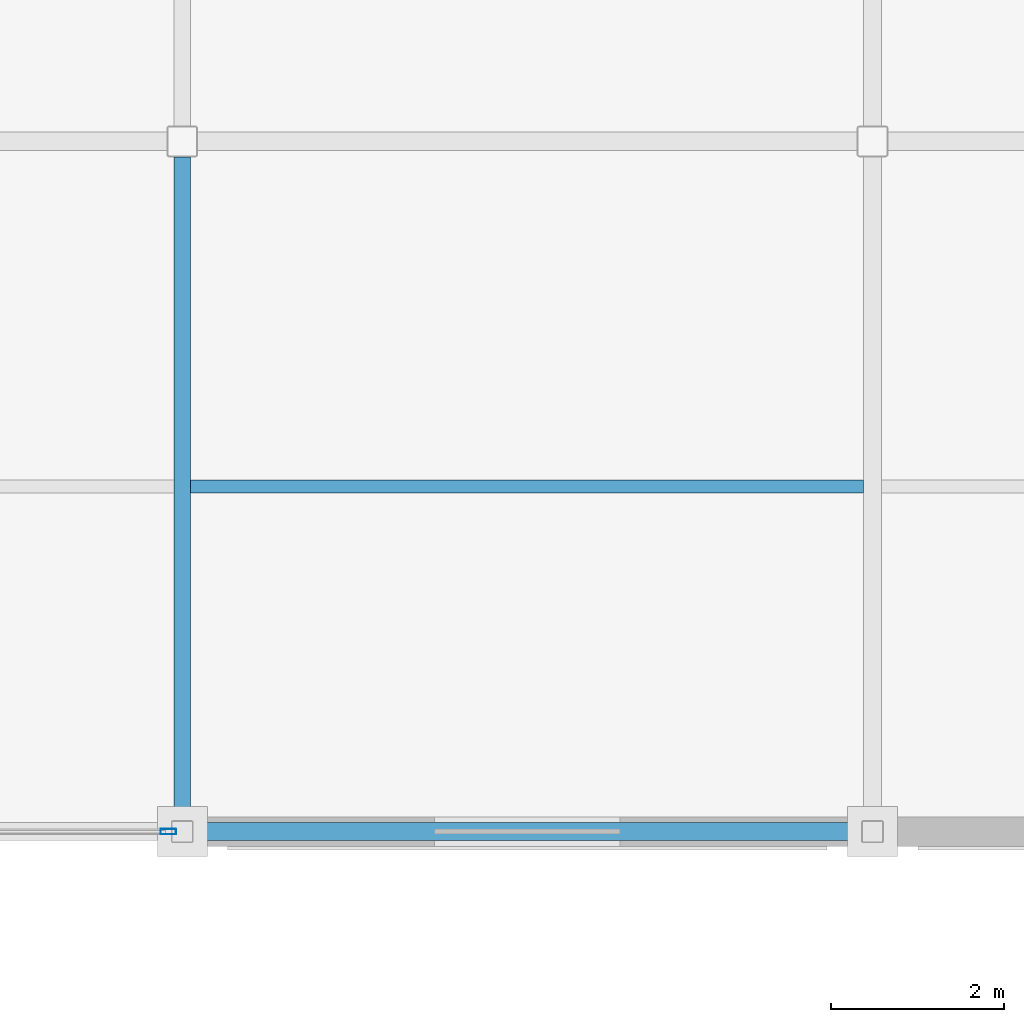
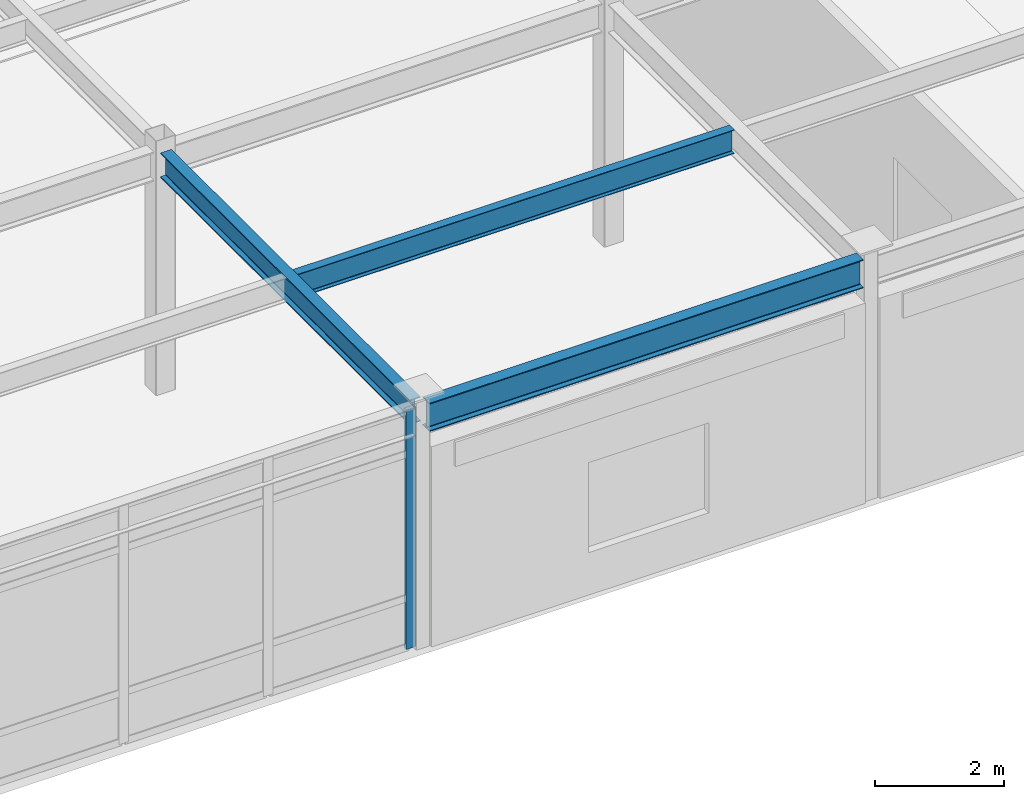
# One storey, part 75 of 117: 3 beams, 1 member, 1 element without a shape of its own.
"""IFC4 building model written with IfcOpenShell, lengths in metres."""

import ifcopenshell
import ifcopenshell.guid

model = None  # the IFC model being written
_history = None  # IfcOwnerHistory: only IFC2X3 demands one
_inside = {}  # id of a spatial element -> (the spatial element, [elements in it])
_under = {}  # id of a project, library or spatial element -> (it, [spatial elements below it])
_declared = {}  # id of a project -> (the project, [libraries it declares])
_typed = {}  # id of a type object -> (the type object, [elements of that type])
_made_of = {}  # id of a material, layer set ... -> (it, [elements and type objects made of it])


def new_model(schema):
    """Start an empty IFC model of exactly this schema.

    Asked for "IFC4X3", IfcOpenShell would pick the latest addendum, in which some entities
    have other attributes; the version numbers below select the first issue.
    IFC2X3 requires an IfcOwnerHistory on every rooted entity: one is made here for all.
    """
    global model, _history
    if schema == "IFC4X3":
        model = ifcopenshell.file(schema_version=(4, 3, 0, 0))
    else:
        model = ifcopenshell.file(schema=schema)
    _inside.clear()
    _under.clear()
    _declared.clear()
    _typed.clear()
    _made_of.clear()
    _history = None
    if model.schema == "IFC2X3":
        org = make("IfcOrganization", Name="unknown")
        user = make(
            "IfcPersonAndOrganization",
            ThePerson=make("IfcPerson", FamilyName="unknown"),
            TheOrganization=org,
        )
        app = make(
            "IfcApplication",
            ApplicationDeveloper=org,
            Version="unknown",
            ApplicationFullName="unknown",
            ApplicationIdentifier="unknown",
        )
        _history = make(
            "IfcOwnerHistory",
            OwningUser=user,
            OwningApplication=app,
            ChangeAction="ADDED",
            CreationDate=0,
        )
    return model


def make(cls, **values):
    """One entity of the class cls with the attributes given. An attribute that is None is left unset."""
    return model.create_entity(
        cls, **{name: value for name, value in values.items() if value is not None}
    )


def rooted(cls, **values):
    """An entity with a GlobalId (a new one), such as an element, a storey or a relation."""
    return make(cls, GlobalId=ifcopenshell.guid.new(), OwnerHistory=_history, **values)


def si_unit(unit_type, name, prefix=None):
    """IfcSIUnit, for example si_unit("LENGTHUNIT", "METRE", prefix="MILLI")."""
    return make("IfcSIUnit", UnitType=unit_type, Prefix=prefix, Name=name)


def assignment(units):
    """IfcUnitAssignment: the units of a project."""
    return None if units is None else make("IfcUnitAssignment", Units=units)


def point(xyz):
    """IfcCartesianPoint."""
    return None if xyz is None else make("IfcCartesianPoint", Coordinates=xyz)


def direction(xyz):
    """IfcDirection."""
    return None if xyz is None else make("IfcDirection", DirectionRatios=xyz)


def frame(location, z_axis=None, x_axis=None):
    """IfcAxis2Placement3D, a coordinate frame: its origin and axes. An axis left out is left unset."""
    return make(
        "IfcAxis2Placement3D",
        Location=point(location),
        Axis=direction(z_axis),
        RefDirection=direction(x_axis),
    )


def frame_2d(location, x_axis=None):
    """IfcAxis2Placement2D, a coordinate frame in the plane: its origin and x axis."""
    return make(
        "IfcAxis2Placement2D", Location=point(location), RefDirection=direction(x_axis)
    )


def origin():
    """The frame at (0, 0, 0) with its axes left unset."""
    return frame((0.0, 0.0, 0.0))


def origin_2d():
    """The frame at (0, 0) in the plane with its x axis left unset."""
    return frame_2d((0.0, 0.0))


def place(relative_to, where):
    """IfcLocalPlacement: puts the frame where relative to a parent placement (None: the world)."""
    return make(
        "IfcLocalPlacement", PlacementRelTo=relative_to, RelativePlacement=where
    )


def context(
    kind, dimensions, precision=None, world=None, true_north=None, identifier=None
):
    """IfcGeometricRepresentationContext, for example the 3D "Model" context."""
    return make(
        "IfcGeometricRepresentationContext",
        ContextIdentifier=identifier,
        ContextType=kind,
        CoordinateSpaceDimension=dimensions,
        Precision=precision,
        WorldCoordinateSystem=world,
        TrueNorth=true_north,
    )


def subcontext(parent, identifier, kind, view, scale=None):
    """IfcGeometricRepresentationSubContext, for example "Body" below "Model"."""
    return make(
        "IfcGeometricRepresentationSubContext",
        ContextIdentifier=identifier,
        ContextType=kind,
        ParentContext=parent,
        TargetScale=scale,
        TargetView=view,
    )


def project(units=None, contexts=None):
    """IfcProject with its units and contexts."""
    return rooted(
        "IfcProject",
        Name="project",
        RepresentationContexts=contexts,
        UnitsInContext=assignment(units),
    )


def spatial(cls, under=None, at=None, **own):
    """A site, building, storey or space (cls), placed at a placement, below another one or the project."""
    s = rooted(cls, ObjectPlacement=at, **own)
    if under is not None:
        _under.setdefault(under.id(), (under, []))[1].append(s)
    return s


def profile(cls, at=None, kind="AREA", **sizes):
    """A parametric profile (cls). Its sizes go by their IFC names, for example OverallWidth=200.0."""
    return make(cls, ProfileType=kind, Position=at, **sizes)


def hollow_rectangle(**sizes):
    """IfcRectangleHollowProfileDef."""
    return profile("IfcRectangleHollowProfileDef", **sizes)


def i_section(**sizes):
    """IfcIShapeProfileDef."""
    return profile("IfcIShapeProfileDef", **sizes)


def extrude(swept, where, along, depth):
    """IfcExtrudedAreaSolid: the profile swept, set in the frame where, extruded along a direction by depth."""
    return make(
        "IfcExtrudedAreaSolid",
        SweptArea=swept,
        Position=where,
        ExtrudedDirection=direction(along),
        Depth=depth,
    )


def shape(context_of_items, identifier, shape_type, items):
    """IfcShapeRepresentation: the items that make up one representation, for example the "Body"."""
    return make(
        "IfcShapeRepresentation",
        ContextOfItems=context_of_items,
        RepresentationIdentifier=identifier,
        RepresentationType=shape_type,
        Items=items,
    )


def material(Name=None, Category=None):
    """IfcMaterial."""
    return make("IfcMaterial", Name=Name, Category=Category)


def material_profile(
    of_material, cross_section, Name=None, Category=None, Priority=None
):
    """IfcMaterialProfile: a cross section and its material."""
    return make(
        "IfcMaterialProfile",
        Name=Name,
        Material=of_material,
        Profile=cross_section,
        Priority=Priority,
        Category=Category,
    )


def profile_set(profiles, Name=None, composite=None):
    """IfcMaterialProfileSet."""
    return make(
        "IfcMaterialProfileSet",
        Name=Name,
        MaterialProfiles=profiles,
        CompositeProfile=composite,
    )


def made_of(thing, what):
    """Note that an element or type object is made of a material, layer set ...; save() writes the relation."""
    if what is not None:
        _made_of.setdefault(what.id(), (what, []))[1].append(thing)
    return thing


def type_object(cls, material=None, **own):
    """A type object (cls), such as IfcWallType, which elements share."""
    return made_of(rooted(cls, **own), material)


def element(
    cls,
    number,
    at=None,
    inside=None,
    cuts=None,
    type_object=None,
    material=None,
    context=None,
    identifier="Body",
    shape_type=None,
    held_by="IfcProductDefinitionShape",
    body=None,
    shapes=None,
    **own,
):
    """One element of the class cls, such as IfcWall. Its Tag is "e" and its number.

    at: its placement. inside: the storey or other place that contains it. cuts: it is an
    opening in that element (IfcRelVoidsElement). A single representation is given by context,
    identifier, shape_type and body (its items); several are given by shapes. held_by: the class
    of the entity that holds the representations. save() writes the other relations.
    """
    e = rooted(cls, Tag="e%d" % number, ObjectPlacement=at, **own)
    if body is not None:
        shapes = [shape(context, identifier, shape_type, body)]
    if shapes is not None:
        e.Representation = make(held_by, Representations=shapes)
    if inside is not None:
        _inside.setdefault(inside.id(), (inside, []))[1].append(e)
    if cuts is not None:
        rooted(
            "IfcRelVoidsElement", RelatingBuildingElement=cuts, RelatedOpeningElement=e
        )
    if type_object is not None:
        _typed.setdefault(type_object.id(), (type_object, []))[1].append(e)
    return made_of(e, material)


def aggregate(whole, parts):
    """IfcRelAggregates: a whole, such as a stair, and the parts it consists of."""
    return rooted("IfcRelAggregates", RelatingObject=whole, RelatedObjects=parts)


def save(model, path):
    """Write the relations noted so far, then the file.

    IfcRelAggregates (storeys below a building ...), IfcRelContainedInSpatialStructure (elements
    in a storey), IfcRelDefinesByType, IfcRelAssociatesMaterial and IfcRelDeclares: one each for
    every whole, place, type object, material and project.
    """
    for whole, parts in _under.values():
        aggregate(whole, parts)
    for where, things in _inside.values():
        rooted(
            "IfcRelContainedInSpatialStructure",
            RelatedElements=things,
            RelatingStructure=where,
        )
    for kind, things in _typed.values():
        rooted("IfcRelDefinesByType", RelatedObjects=things, RelatingType=kind)
    for what, things in _made_of.values():
        rooted("IfcRelAssociatesMaterial", RelatedObjects=things, RelatingMaterial=what)
    for by, libraries in _declared.values():
        rooted("IfcRelDeclares", RelatingContext=by, RelatedDefinitions=libraries)
    model.write(path)


model = new_model("IFC4")

# Units and contexts
model_context = context("Model", 3, precision=1e-05, world=origin(), true_north=direction((0.0, 1.0)))
body_context = subcontext(model_context, "Body", "Model", "MODEL_VIEW")
ifc_project = project(units=[si_unit("LENGTHUNIT", "METRE"), si_unit("AREAUNIT", "SQUARE_METRE"), si_unit("VOLUMEUNIT", "CUBIC_METRE"), si_unit("PLANEANGLEUNIT", "RADIAN"), si_unit("MASSUNIT", "GRAM", prefix="KILO")], contexts=[model_context])

# Site, building, storey
site_placement = place(None, origin())
site = spatial("IfcSite", under=ifc_project, at=site_placement, CompositionType="ELEMENT")
building_placement = place(site_placement, origin())
building = spatial("IfcBuilding", under=site, at=building_placement, Name="Solmirada Galleria", CompositionType="ELEMENT")
storey_placement = place(building_placement, frame((0.0, 0.0, 5.60009765625)))
storey = spatial("IfcBuildingStorey", under=building, at=storey_placement, Name="L01", CompositionType="ELEMENT", Elevation=5.60009765625)

# Beams
ifc_material_1 = material(Name="Steel S355 / ASTM A992 Grade 50", Category="steel")
ifc_material_profile_1 = material_profile(ifc_material_1, i_section(OverallWidth=0.194091796875, OverallDepth=0.468994140625, WebThickness=0.0126953125, FlangeThickness=0.0205078125, FilletRadius=0.013916015625, at=origin_2d()), Name="W18X71")
ifc_profile_set_1 = profile_set([ifc_material_profile_1], Name="Steel S355 / ASTM A992 Grade 50")
beam_type_1 = type_object("IfcBeamType", Name="BM-GIRD-W18B", PredefinedType="BEAM", material=ifc_profile_set_1)
beam_1_placement = place(storey_placement, frame((136.0, 72.126953125, 4.325439453125), z_axis=(0.0, 1.0, 0.0), x_axis=(-1.0, 0.0, 0.0)))
element("IfcBeam", 1, at=beam_1_placement, inside=storey, type_object=beam_type_1, Name="Primary girder L02 Y(136, 72..80)", PredefinedType="BEAM", context=body_context, shape_type="SweptSolid", body=[
    extrude(i_section(OverallWidth=0.194091796875, OverallDepth=0.468994140625, WebThickness=0.0126953125, FlangeThickness=0.0205078125, FilletRadius=0.013916015625, at=origin_2d()), origin(), (0.0, 0.0, 1.0), 7.695068359375),
])
ifc_material_profile_2 = material_profile(ifc_material_1, i_section(OverallWidth=0.2099609375, OverallDepth=0.537109375, WebThickness=0.010986328125, FlangeThickness=0.017333984375, FilletRadius=0.014892578125, at=origin_2d()), Name="W21X68")
ifc_profile_set_2 = profile_set([ifc_material_profile_2], Name="Steel S355 / ASTM A992 Grade 50")
beam_type_2 = type_object("IfcBeamType", Name="BM-GIRD-W21B", PredefinedType="BEAM", material=ifc_profile_set_2)
beam_2_placement = place(storey_placement, frame((136.126953125, 72.0, 4.29150390625), z_axis=(1.0, 0.0, 0.0), x_axis=(0.0, 1.0, 0.0)))
element("IfcBeam", 2, at=beam_2_placement, inside=storey, type_object=beam_type_2, Name="Primary beam L02 X(136..144, 72)", PredefinedType="BEAM", context=body_context, shape_type="SweptSolid", body=[
    extrude(i_section(OverallWidth=0.2099609375, OverallDepth=0.537109375, WebThickness=0.010986328125, FlangeThickness=0.017333984375, FilletRadius=0.014892578125, at=origin_2d()), origin(), (0.0, 0.0, 1.0), 7.74609375),
])
ifc_material_profile_3 = material_profile(ifc_material_1, i_section(OverallWidth=0.152099609375, OverallDepth=0.449951171875, WebThickness=0.007568359375, FlangeThickness=0.0107421875, FilletRadius=0.011962890625, at=origin_2d()), Name="W18X35")
ifc_profile_set_3 = profile_set([ifc_material_profile_3], Name="Steel S355 / ASTM A992 Grade 50")
beam_type_3 = type_object("IfcBeamType", Name="BM-JST-W18B", PredefinedType="JOIST", material=ifc_profile_set_3)
beam_3_placement = place(storey_placement, frame((136.096923828125, 76.0, 4.3349609375), z_axis=(1.0, 0.0, 0.0), x_axis=(0.0, 1.0, 0.0)))
element("IfcBeam", 3, at=beam_3_placement, inside=storey, type_object=beam_type_3, Name="Composite floor joist L02 (136..144, 76.0)", PredefinedType="JOIST", context=body_context, shape_type="SweptSolid", body=[
    extrude(i_section(OverallWidth=0.152099609375, OverallDepth=0.449951171875, WebThickness=0.007568359375, FlangeThickness=0.0107421875, FilletRadius=0.011962890625, at=origin_2d()), origin(), (0.0, 0.0, 1.0), 7.798095703125),
])

# Curtain wall, member
ifc_material_2 = material(Name="Impact-resistant low-E double glazing", Category="glass")
curtain_wall_type = type_object("IfcCurtainWallType", Name="CW-FZ4-L01-B3-L077", PredefinedType="NOTDEFINED", material=ifc_material_2)
curtain_wall_placement = place(storey_placement, origin())
curtain_wall = element("IfcCurtainWall", 4, at=curtain_wall_placement, inside=storey, type_object=curtain_wall_type, Name="Terrace and arcade storefront CW-L01-062", PredefinedType="NOTDEFINED")
ifc_material_3 = material(Name="Anodised aluminium framing", Category="aluminium")
ifc_material_profile_4 = material_profile(ifc_material_3, hollow_rectangle(XDim=0.06494140625, YDim=0.179931640625, WallThickness=0.00390625, InnerFilletRadius=0.00390625, OuterFilletRadius=0.008056640625, at=origin_2d()), Name="ALU-MULL-180X65")
ifc_profile_set_4 = profile_set([ifc_material_profile_4], Name="Anodised aluminium framing")
member_type = type_object("IfcMemberType", Name="CW-MULL-180", PredefinedType="MULLION", material=ifc_profile_set_4)
member_placement = place(storey_placement, frame((135.83837890625, 72.0, 0.0), z_axis=(0.0, 0.0, 1.0), x_axis=(0.0, -1.0, 0.0)))
member = element("IfcMember", 5, at=member_placement, type_object=member_type, Name="CW16 mullion 1", PredefinedType="MULLION", context=body_context, shape_type="SweptSolid", body=[
    extrude(hollow_rectangle(XDim=0.06494140625, YDim=0.179931640625, WallThickness=0.00390625, InnerFilletRadius=0.00390625, OuterFilletRadius=0.008056640625, at=origin_2d()), origin(), (0.0, 0.0, 1.0), 4.52001953125),
])
aggregate(curtain_wall, [member])

save(model, "model.ifc")
